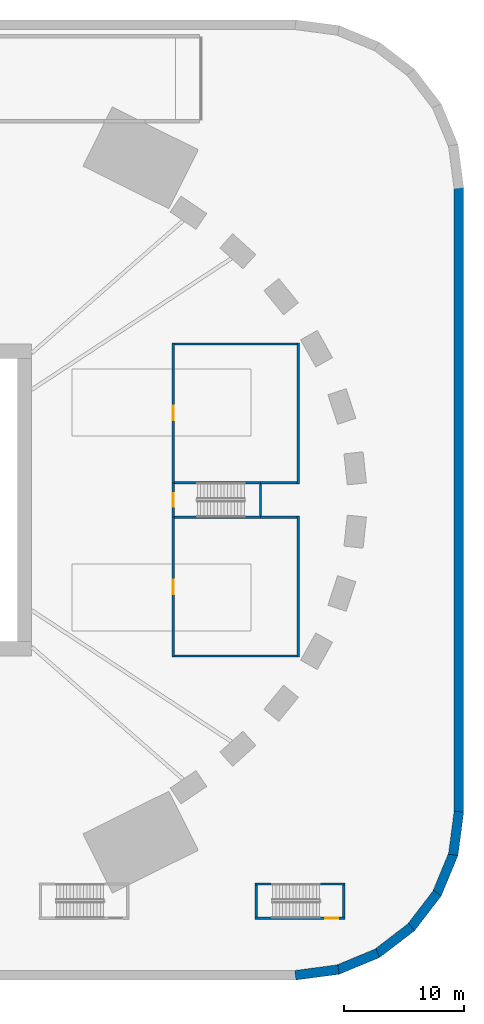
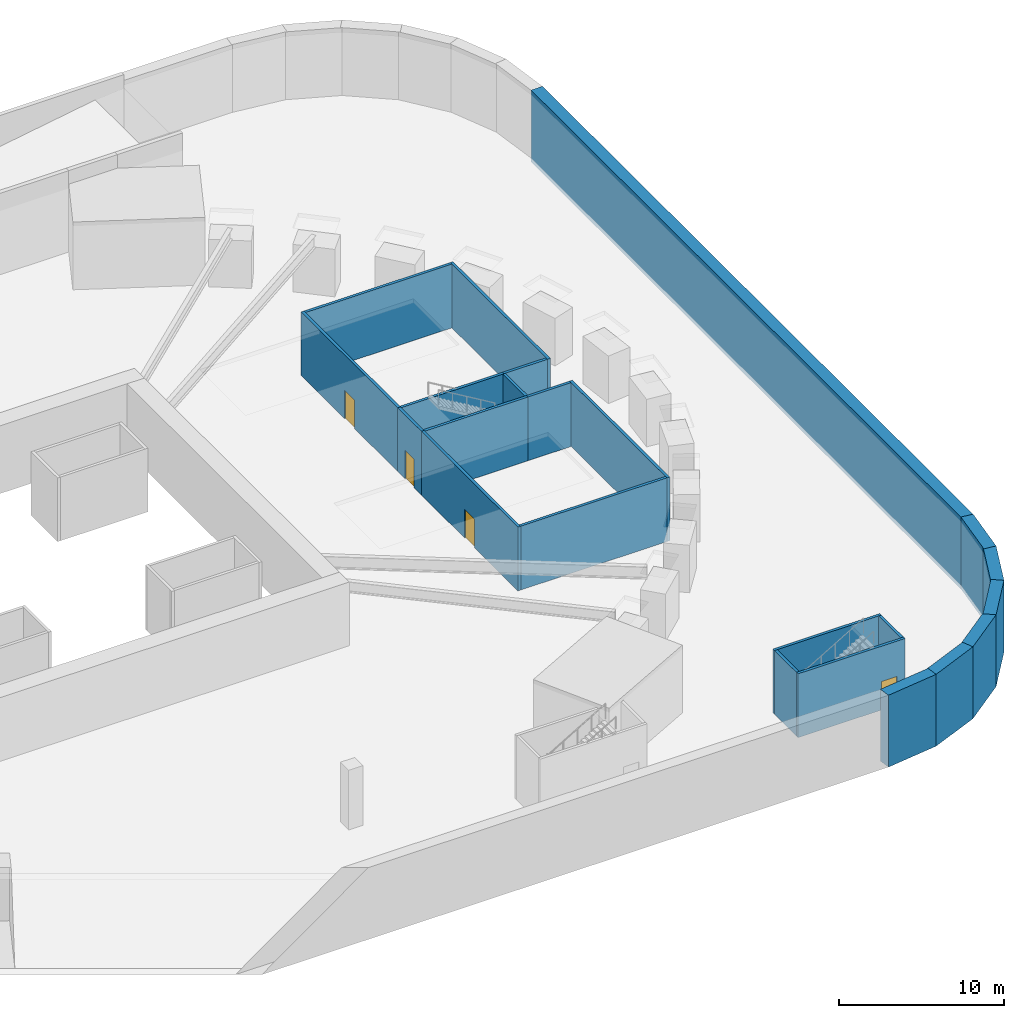
# One storey, part 3 of 10: 23 walls, 4 doors, 4 openings.
"""IFC4 building model written with IfcOpenShell, lengths in metres."""

from ifc_helpers import new_model, si_unit, direction, frame, frame_2d, origin, place, context, subcontext, project, spatial, rectangle, extrude, source, transform, mapped, material, layer, layer_set, type_object, element, fill, save


model = new_model("IFC4")

# Units and contexts
model_context = context("Model", 3, precision=1e-05, world=origin(), true_north=direction((0.0, 1.0)))
body_context = subcontext(model_context, "Body", "Model", "MODEL_VIEW")
ifc_project = project(units=[si_unit("LENGTHUNIT", "METRE"), si_unit("AREAUNIT", "SQUARE_METRE"), si_unit("VOLUMEUNIT", "CUBIC_METRE"), si_unit("PLANEANGLEUNIT", "RADIAN"), si_unit("MASSUNIT", "GRAM", prefix="KILO")], contexts=[model_context])

# Site, building, storey
site_placement = place(None, origin())
site = spatial("IfcSite", under=ifc_project, at=site_placement, CompositionType="ELEMENT")
building_placement = place(site_placement, origin())
building = spatial("IfcBuilding", under=site, at=building_placement, Name="Embergate Tower", CompositionType="ELEMENT")
storey_placement = place(building_placement, frame((0.0, 0.0, -5.0)))
storey = spatial("IfcBuildingStorey", under=building, at=storey_placement, Name="B1", CompositionType="ELEMENT", Elevation=-5.0)

# Walls
ifc_material_1 = material(Name="Concrete C40", Category="concrete")
ifc_layer_1 = layer(ifc_material_1, 0.800048828125)
ifc_layer_set_1 = layer_set([ifc_layer_1], Name="Concrete C40")
wall_type_1 = type_object("IfcWallType", Name="Basement retaining wall C40 800", PredefinedType="SOLIDWALL", material=ifc_layer_set_1)
shared_shape_1 = source(origin(), body_context, "Body", "SweptSolid", [
    extrude(rectangle(XDim=3.62890625, YDim=0.800048828125, at=frame_2d((1.814453125, 0.0))), origin(), (0.0, 0.0, 1.0), 5.300048828125),
])
for number, where, z_axis, x_axis, name in (
    (1, (35.97412109375, -39.60302734375, -0.300048828125), (0.0, 0.0, 1.0), (0.991463681552, 0.130383159045, 0.0), "RWL-B1-021"),
    (2, (49.1298828125, -29.572021484375, -0.300048828125), (0.0, 0.0, 1.0), (0.130383159045, 0.991463681552, 0.0), "RWL-B1-026"),
):
    element("IfcWall", number, at=place(storey_placement, frame(where, z_axis=z_axis, x_axis=x_axis)), inside=storey, type_object=wall_type_1, Name=name, PredefinedType="SOLIDWALL", context=body_context, shape_type="MappedRepresentation", body=[
        mapped(shared_shape_1, transform((0.0, 0.0, 0.0))),
    ])
shared_shape_2 = source(origin(), body_context, "Body", "SweptSolid", [
    extrude(rectangle(XDim=3.65625, YDim=0.800048828125, at=frame_2d((1.828125, 0.0))), origin(), (0.0, 0.0, 1.0), 5.300048828125),
])
for number, where, z_axis, x_axis, name in (
    (3, (39.470947265625, -39.156982421875, -0.300048828125), (0.0, 0.0, 1.0), (0.923914303601, 0.382599476739, 0.0), "RWL-B1-022"),
    (4, (47.758056640625, -32.84912109375, -0.300048828125), (0.0, 0.0, 1.0), (0.382599476739, 0.923914303601, 0.0), "RWL-B1-025"),
):
    element("IfcWall", number, at=place(storey_placement, frame(where, z_axis=z_axis, x_axis=x_axis)), inside=storey, type_object=wall_type_1, Name=name, PredefinedType="SOLIDWALL", context=body_context, shape_type="MappedRepresentation", body=[
        mapped(shared_shape_2, transform((0.0, 0.0, 0.0))),
    ])
shared_shape_3 = source(origin(), body_context, "Body", "SweptSolid", [
    extrude(rectangle(XDim=3.656005859375, YDim=0.800048828125, at=frame_2d((1.828125, 0.0))), origin(), (0.0, 0.0, 1.0), 5.300048828125),
])
for number, where, z_axis, x_axis, name in (
    (5, (42.758056640625, -37.81005859375, -0.300048828125), (0.0, 0.0, 1.0), (0.793462314297, 0.608619384994, 0.0), "RWL-B1-023"),
    (6, (45.5849609375, -35.658935546875, -0.300048828125), (0.0, 0.0, 1.0), (0.608619384994, 0.793462314297, 0.0), "RWL-B1-024"),
):
    element("IfcWall", number, at=place(storey_placement, frame(where, z_axis=z_axis, x_axis=x_axis)), inside=storey, type_object=wall_type_1, Name=name, PredefinedType="SOLIDWALL", context=body_context, shape_type="MappedRepresentation", body=[
        mapped(shared_shape_3, transform((0.0, 0.0, 0.0))),
    ])
shared_shape_4 = source(origin(), body_context, "Body", "SweptSolid", [
    extrude(rectangle(XDim=52.0517578125, YDim=0.800048828125, at=frame_2d((26.02587890625, 0.0))), origin(), (0.0, 0.0, 1.0), 5.300048828125),
])
wall_1_placement = place(storey_placement, frame((49.60009765625, -26.02587890625, -0.300048828125), z_axis=(0.0, 0.0, 1.0), x_axis=(0.0, 1.0, 0.0)))
element("IfcWall", 7, at=wall_1_placement, inside=storey, type_object=wall_type_1, Name="RWL-B1-027", PredefinedType="SOLIDWALL", context=body_context, shape_type="MappedRepresentation", body=[
    mapped(shared_shape_4, transform((0.0, 0.0, 0.0))),
])
ifc_layer_2 = layer(ifc_material_1, 0.199951171875)
ifc_layer_set_2 = layer_set([ifc_layer_2], Name="Concrete C40")
wall_type_2 = type_object("IfcWallType", Name="Stair enclosure wall RC 200", PredefinedType="STANDARD", material=ifc_layer_set_2)
shared_shape_5 = source(origin(), body_context, "Body", "SweptSolid", [
    extrude(rectangle(XDim=2.64990234375, YDim=0.199951171875, at=frame_2d((1.324951171875, 0.0))), origin(), (0.0, 0.0, 1.0), 4.699951171875),
])
for number, where, z_axis, x_axis, name in (
    (8, (32.72998046875, -34.75, 0.0), (0.0, 0.0, 1.0), (0.0, 1.0, 0.0), "Stair wall 038"),
    (9, (33.070068359375, 1.324951171875, 0.0), (0.0, 0.0, 1.0), (0.0, -1.0, 0.0), "Stair wall 043"),
    (10, (40.0, -32.10009765625, 0.0), (0.0, 0.0, 1.0), (0.0, -1.0, 0.0), "Stair wall 048"),
):
    element("IfcWall", number, at=place(storey_placement, frame(where, z_axis=z_axis, x_axis=x_axis)), inside=storey, type_object=wall_type_2, Name=name, PredefinedType="STANDARD", context=body_context, shape_type="MappedRepresentation", body=[
        mapped(shared_shape_5, transform((0.0, 0.0, 0.0))),
    ])
ifc_material_2 = material(Name="Blockwork, plastered", Category="masonry")
ifc_layer_3 = layer(ifc_material_2, 0.199951171875)
ifc_layer_set_3 = layer_set([ifc_layer_3], Name="Blockwork, plastered")
wall_type_3 = type_object("IfcWallType", Name="Fire partition wall 200 block", PredefinedType="PARTITIONING", material=ifc_layer_set_3)
shared_shape_6 = source(origin(), body_context, "Body", "SweptSolid", [
    extrude(rectangle(XDim=11.775146484375, YDim=0.199951171875, at=frame_2d((5.8876953125, 0.0))), origin(), (0.0, 0.0, 1.0), 4.699951171875),
])
for number, where, z_axis, x_axis, name in (
    (11, (36.199951171875, -1.324951171875, 0.0), (0.0, 0.0, 1.0), (0.0, -1.0, 0.0), "Partition 045"),
    (12, (36.199951171875, 13.10009765625, 0.0), (0.0, 0.0, 1.0), (0.0, -1.0, 0.0), "Partition 047"),
):
    element("IfcWall", number, at=place(storey_placement, frame(where, z_axis=z_axis, x_axis=x_axis)), inside=storey, type_object=wall_type_3, Name=name, PredefinedType="PARTITIONING", context=body_context, shape_type="MappedRepresentation", body=[
        mapped(shared_shape_6, transform((0.0, 0.0, 0.0))),
    ])
shared_shape_7 = source(origin(), body_context, "Body", "SweptSolid", [
    extrude(rectangle(XDim=3.030029296875, YDim=0.199951171875, at=frame_2d((1.51513671875, 0.0))), origin(), (0.0, 0.0, 1.0), 4.699951171875),
])
for number, where, z_axis, x_axis, name in (
    (13, (33.070068359375, -1.425048828125, 0.0), (0.0, 0.0, 1.0), (1.0, 0.0, 0.0), "Partition 041"),
    (14, (36.10009765625, 1.425048828125, 0.0), (0.0, 0.0, 1.0), (-1.0, 0.0, 0.0), "Partition 046"),
):
    element("IfcWall", number, at=place(storey_placement, frame(where, z_axis=z_axis, x_axis=x_axis)), inside=storey, type_object=wall_type_3, Name=name, PredefinedType="PARTITIONING", context=body_context, shape_type="MappedRepresentation", body=[
        mapped(shared_shape_7, transform((0.0, 0.0, 0.0))),
    ])
shared_shape_8 = source(origin(), body_context, "Body", "SweptSolid", [
    extrude(rectangle(XDim=10.2001953125, YDim=0.199951171875, at=frame_2d((5.10009765625, 0.0))), origin(), (0.0, 0.0, 1.0), 4.699951171875),
])
for number, where, z_axis, x_axis, name in (
    (15, (25.89990234375, 13.0, 0.0), (0.0, 0.0, 1.0), (1.0, 0.0, 0.0), "Partition 037"),
    (16, (36.10009765625, -13.0, 0.0), (0.0, 0.0, 1.0), (-1.0, 0.0, 0.0), "Partition 044"),
):
    element("IfcWall", number, at=place(storey_placement, frame(where, z_axis=z_axis, x_axis=x_axis)), inside=storey, type_object=wall_type_3, Name=name, PredefinedType="PARTITIONING", context=body_context, shape_type="MappedRepresentation", body=[
        mapped(shared_shape_8, transform((0.0, 0.0, 0.0))),
    ])
shared_shape_9 = source(origin(), body_context, "Body", "SweptSolid", [
    extrude(rectangle(XDim=7.170166015625, YDim=0.199951171875, at=frame_2d((3.5849609375, 0.0))), origin(), (0.0, 0.0, 1.0), 4.699951171875),
])
for number, where, z_axis, x_axis, name in (
    (17, (25.89990234375, -1.425048828125, 0.0), (0.0, 0.0, 1.0), (1.0, 0.0, 0.0), "Stair wall 034"),
    (18, (33.070068359375, 1.425048828125, 0.0), (0.0, 0.0, 1.0), (-1.0, 0.0, 0.0), "Stair wall 042"),
):
    element("IfcWall", number, at=place(storey_placement, frame(where, z_axis=z_axis, x_axis=x_axis)), inside=storey, type_object=wall_type_2, Name=name, PredefinedType="STANDARD", context=body_context, shape_type="MappedRepresentation", body=[
        mapped(shared_shape_9, transform((0.0, 0.0, 0.0))),
    ])

# Wall, opening, door
shared_shape_10 = source(origin(), body_context, "Body", "SweptSolid", [
    extrude(rectangle(XDim=7.47021484375, YDim=0.199951171875, at=frame_2d((3.735107421875, 0.0))), origin(), (0.0, 0.0, 1.0), 4.699951171875),
])
wall_2_placement = place(storey_placement, frame((32.6298828125, -34.85009765625, 0.0), z_axis=(0.0, 0.0, 1.0), x_axis=(1.0, 0.0, 0.0)))
wall_2 = element("IfcWall", 19, at=wall_2_placement, inside=storey, type_object=wall_type_2, Name="Stair wall 039", PredefinedType="STANDARD", context=body_context, shape_type="MappedRepresentation", body=[
    mapped(shared_shape_10, transform((0.0, 0.0, 0.0))),
])
shared_shape_11 = source(origin(), body_context, "Body", "SweptSolid", [
    extrude(rectangle(XDim=1.10009765625, YDim=2.10009765625, at=frame_2d((0.550048828125, 1.050048828125))), frame((0.0, 0.10986328125, 0.0), z_axis=(0.0, -1.0, 0.0), x_axis=(1.0, 0.0, 0.0)), (0.0, 0.0, 1.0), 0.219970703125),
])
opening_1_placement = place(wall_2_placement, frame((5.820068359375, 0.0, 0.0)))
opening_1 = element("IfcOpeningElement", 20, at=opening_1_placement, cuts=wall_2, Name="Opening DS-310", PredefinedType="OPENING", context=body_context, shape_type="MappedRepresentation", body=[
    mapped(shared_shape_11, transform((0.0, 0.0, 0.0))),
])
ifc_material_3 = material(Name="Steel fire door leaf", Category="steel")
door_type_1 = type_object("IfcDoorType", Name="Fire door class B 1100x2100", OperationType="SINGLE_SWING_LEFT", PredefinedType="DOOR", material=ifc_material_3)
shared_shape_12 = source(origin(), body_context, "Body", "SweptSolid", [
    extrude(rectangle(XDim=1.10009765625, YDim=2.10009765625, at=frame_2d((0.550048828125, 1.050048828125))), frame((0.0, 0.02490234375, 0.0), z_axis=(0.0, -1.0, 0.0), x_axis=(1.0, 0.0, 0.0)), (0.0, 0.0, 1.0), 0.050048828125),
])
door_1_placement = place(opening_1_placement, origin())
door_1 = element("IfcDoor", 21, at=door_1_placement, inside=storey, type_object=door_type_1, Name="Door to Exit stair enclosure", OperationType="SINGLE_SWING_LEFT", OverallHeight=2.10009765625, OverallWidth=1.10009765625, PredefinedType="DOOR", context=body_context, shape_type="MappedRepresentation", body=[
    mapped(shared_shape_12, transform((0.0, 0.0, 0.0))),
])
fill(opening_1, door_1)

# Wall
wall_3_placement = place(storey_placement, frame((32.6298828125, -32.0, 0.0), z_axis=(0.0, 0.0, 1.0), x_axis=(1.0, 0.0, 0.0)))
element("IfcWall", 22, at=wall_3_placement, inside=storey, type_object=wall_type_2, Name="Stair wall 040", PredefinedType="STANDARD", context=body_context, shape_type="MappedRepresentation", body=[
    mapped(shared_shape_10, transform((0.0, 0.0, 0.0))),
])

# Wall, opening, door
shared_shape_13 = source(origin(), body_context, "Body", "SweptSolid", [
    extrude(rectangle(XDim=11.675048828125, YDim=0.199951171875, at=frame_2d((5.83740234375, 0.0))), origin(), (0.0, 0.0, 1.0), 4.699951171875),
])
wall_4_placement = place(storey_placement, frame((25.800048828125, -1.425048828125, 0.0), z_axis=(0.0, 0.0, 1.0), x_axis=(0.0, -1.0, 0.0)))
wall_4 = element("IfcWall", 23, at=wall_4_placement, inside=storey, type_object=wall_type_3, Name="Partition 033", PredefinedType="PARTITIONING", context=body_context, shape_type="MappedRepresentation", body=[
    mapped(shared_shape_13, transform((0.0, 0.0, 0.0))),
])
shared_shape_14 = source(origin(), body_context, "Body", "SweptSolid", [
    extrude(rectangle(XDim=1.199951171875, YDim=2.10009765625, at=frame_2d((0.60009765625, 1.050048828125))), frame((0.0, 0.10986328125, 0.0), z_axis=(0.0, -1.0, 0.0), x_axis=(1.0, 0.0, 0.0)), (0.0, 0.0, 1.0), 0.219970703125),
])
opening_2_placement = place(wall_4_placement, frame((5.237060546875, 0.0, 0.0)))
opening_2 = element("IfcOpeningElement", 24, at=opening_2_placement, cuts=wall_4, Name="Opening DS-303", PredefinedType="OPENING", context=body_context, shape_type="MappedRepresentation", body=[
    mapped(shared_shape_14, transform((0.0, 0.0, 0.0))),
])
ifc_material_4 = material(Name="Timber door leaf, steel frame", Category="steel")
door_type_2 = type_object("IfcDoorType", Name="Plant door 1200x2100", OperationType="SINGLE_SWING_LEFT", PredefinedType="DOOR", material=ifc_material_4)
shared_shape_15 = source(origin(), body_context, "Body", "SweptSolid", [
    extrude(rectangle(XDim=1.199951171875, YDim=2.10009765625, at=frame_2d((0.60009765625, 1.050048828125))), frame((0.0, 0.02490234375, 0.0), z_axis=(0.0, -1.0, 0.0), x_axis=(1.0, 0.0, 0.0)), (0.0, 0.0, 1.0), 0.050048828125),
])
door_2_placement = place(opening_2_placement, origin())
door_2 = element("IfcDoor", 25, at=door_2_placement, inside=storey, type_object=door_type_2, Name="Door to Bicycle store", OperationType="SINGLE_SWING_LEFT", OverallHeight=2.10009765625, OverallWidth=1.199951171875, PredefinedType="DOOR", context=body_context, shape_type="MappedRepresentation", body=[
    mapped(shared_shape_15, transform((0.0, 0.0, 0.0))),
])
fill(opening_2, door_2)

wall_5_placement = place(storey_placement, frame((25.800048828125, 13.10009765625, 0.0), z_axis=(0.0, 0.0, 1.0), x_axis=(0.0, -1.0, 0.0)))
wall_5 = element("IfcWall", 26, at=wall_5_placement, inside=storey, type_object=wall_type_3, Name="Partition 036", PredefinedType="PARTITIONING", context=body_context, shape_type="MappedRepresentation", body=[
    mapped(shared_shape_13, transform((0.0, 0.0, 0.0))),
])
opening_3_placement = place(wall_5_placement, frame((5.237060546875, 0.0, 0.0)))
opening_3 = element("IfcOpeningElement", 27, at=opening_3_placement, cuts=wall_5, Name="Opening DS-304", PredefinedType="OPENING", context=body_context, shape_type="MappedRepresentation", body=[
    mapped(shared_shape_14, transform((0.0, 0.0, 0.0))),
])
door_3_placement = place(opening_3_placement, origin())
door_3 = element("IfcDoor", 28, at=door_3_placement, inside=storey, type_object=door_type_2, Name="Door to Mechanical plant room", OperationType="SINGLE_SWING_LEFT", OverallHeight=2.10009765625, OverallWidth=1.199951171875, PredefinedType="DOOR", context=body_context, shape_type="MappedRepresentation", body=[
    mapped(shared_shape_15, transform((0.0, 0.0, 0.0))),
])
fill(opening_3, door_3)

shared_shape_16 = source(origin(), body_context, "Body", "SweptSolid", [
    extrude(rectangle(XDim=2.85009765625, YDim=0.199951171875, at=frame_2d((1.425048828125, 0.0))), origin(), (0.0, 0.0, 1.0), 4.699951171875),
])
wall_6_placement = place(storey_placement, frame((25.800048828125, 1.425048828125, 0.0), z_axis=(0.0, 0.0, 1.0), x_axis=(0.0, -1.0, 0.0)))
wall_6 = element("IfcWall", 29, at=wall_6_placement, inside=storey, type_object=wall_type_2, Name="Stair wall 035", PredefinedType="STANDARD", context=body_context, shape_type="MappedRepresentation", body=[
    mapped(shared_shape_16, transform((0.0, 0.0, 0.0))),
])
opening_4_placement = place(wall_6_placement, frame((0.875, 0.0, 0.0)))
opening_4 = element("IfcOpeningElement", 30, at=opening_4_placement, cuts=wall_6, Name="Opening DS-311", PredefinedType="OPENING", context=body_context, shape_type="MappedRepresentation", body=[
    mapped(shared_shape_11, transform((0.0, 0.0, 0.0))),
])
door_4_placement = place(opening_4_placement, origin())
door_4 = element("IfcDoor", 31, at=door_4_placement, inside=storey, type_object=door_type_1, Name="Door to Exit stair enclosure", OperationType="SINGLE_SWING_LEFT", OverallHeight=2.10009765625, OverallWidth=1.10009765625, PredefinedType="DOOR", context=body_context, shape_type="MappedRepresentation", body=[
    mapped(shared_shape_12, transform((0.0, 0.0, 0.0))),
])
fill(opening_4, door_4)

save(model, "model.ifc")
